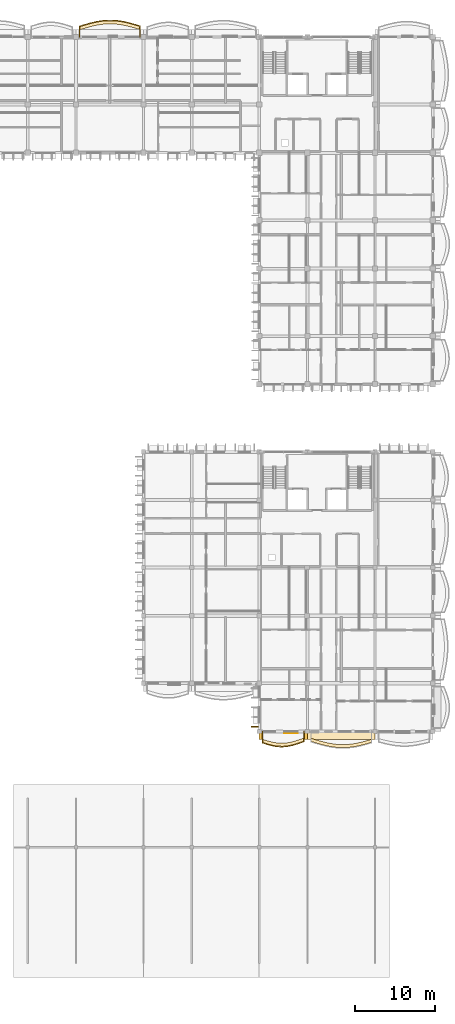
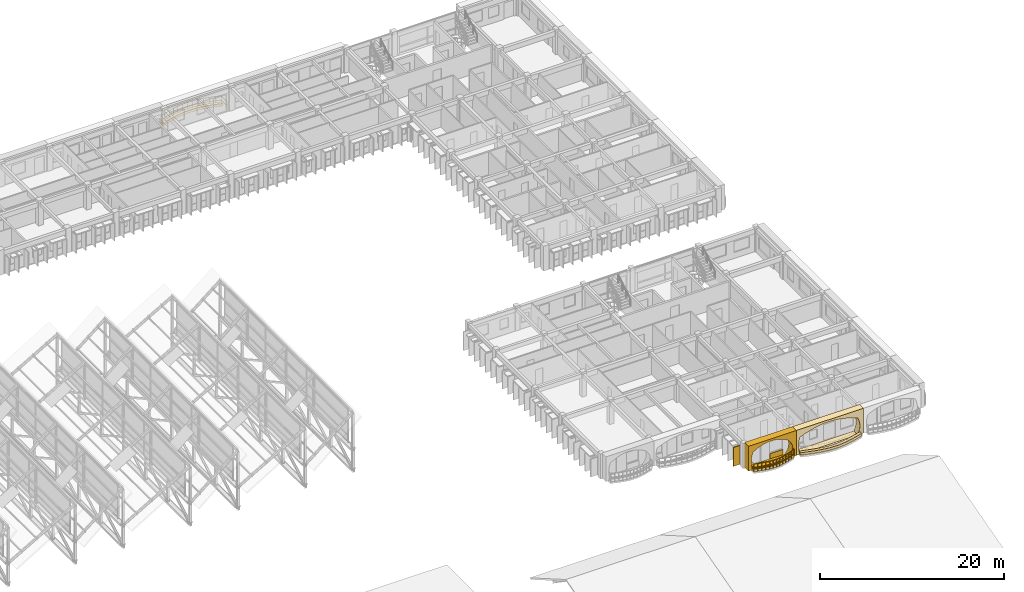
# One storey, part 89 of 101: 7 coverings, 2 railings.
"""IFC4 building model written with IfcOpenShell, lengths in metres."""

import ifcopenshell
import ifcopenshell.guid

model = None  # the IFC model being written
_history = None  # IfcOwnerHistory: only IFC2X3 demands one
_inside = {}  # id of a spatial element -> (the spatial element, [elements in it])
_under = {}  # id of a project, library or spatial element -> (it, [spatial elements below it])
_declared = {}  # id of a project -> (the project, [libraries it declares])
_typed = {}  # id of a type object -> (the type object, [elements of that type])
_made_of = {}  # id of a material, layer set ... -> (it, [elements and type objects made of it])


def new_model(schema):
    """Start an empty IFC model of exactly this schema.

    Asked for "IFC4X3", IfcOpenShell would pick the latest addendum, in which some entities
    have other attributes; the version numbers below select the first issue.
    IFC2X3 requires an IfcOwnerHistory on every rooted entity: one is made here for all.
    """
    global model, _history
    if schema == "IFC4X3":
        model = ifcopenshell.file(schema_version=(4, 3, 0, 0))
    else:
        model = ifcopenshell.file(schema=schema)
    _inside.clear()
    _under.clear()
    _declared.clear()
    _typed.clear()
    _made_of.clear()
    _history = None
    if model.schema == "IFC2X3":
        org = make("IfcOrganization", Name="unknown")
        user = make(
            "IfcPersonAndOrganization",
            ThePerson=make("IfcPerson", FamilyName="unknown"),
            TheOrganization=org,
        )
        app = make(
            "IfcApplication",
            ApplicationDeveloper=org,
            Version="unknown",
            ApplicationFullName="unknown",
            ApplicationIdentifier="unknown",
        )
        _history = make(
            "IfcOwnerHistory",
            OwningUser=user,
            OwningApplication=app,
            ChangeAction="ADDED",
            CreationDate=0,
        )
    return model


def make(cls, **values):
    """One entity of the class cls with the attributes given. An attribute that is None is left unset."""
    return model.create_entity(
        cls, **{name: value for name, value in values.items() if value is not None}
    )


def rooted(cls, **values):
    """An entity with a GlobalId (a new one), such as an element, a storey or a relation."""
    return make(cls, GlobalId=ifcopenshell.guid.new(), OwnerHistory=_history, **values)


def si_unit(unit_type, name, prefix=None):
    """IfcSIUnit, for example si_unit("LENGTHUNIT", "METRE", prefix="MILLI")."""
    return make("IfcSIUnit", UnitType=unit_type, Prefix=prefix, Name=name)


def assignment(units):
    """IfcUnitAssignment: the units of a project."""
    return None if units is None else make("IfcUnitAssignment", Units=units)


def point(xyz):
    """IfcCartesianPoint."""
    return None if xyz is None else make("IfcCartesianPoint", Coordinates=xyz)


def direction(xyz):
    """IfcDirection."""
    return None if xyz is None else make("IfcDirection", DirectionRatios=xyz)


def frame(location, z_axis=None, x_axis=None):
    """IfcAxis2Placement3D, a coordinate frame: its origin and axes. An axis left out is left unset."""
    return make(
        "IfcAxis2Placement3D",
        Location=point(location),
        Axis=direction(z_axis),
        RefDirection=direction(x_axis),
    )


def frame_2d(location, x_axis=None):
    """IfcAxis2Placement2D, a coordinate frame in the plane: its origin and x axis."""
    return make(
        "IfcAxis2Placement2D", Location=point(location), RefDirection=direction(x_axis)
    )


def origin():
    """The frame at (0, 0, 0) with its axes left unset."""
    return frame((0.0, 0.0, 0.0))


def origin_2d():
    """The frame at (0, 0) in the plane with its x axis left unset."""
    return frame_2d((0.0, 0.0))


def place(relative_to, where):
    """IfcLocalPlacement: puts the frame where relative to a parent placement (None: the world)."""
    return make(
        "IfcLocalPlacement", PlacementRelTo=relative_to, RelativePlacement=where
    )


def context(
    kind, dimensions, precision=None, world=None, true_north=None, identifier=None
):
    """IfcGeometricRepresentationContext, for example the 3D "Model" context."""
    return make(
        "IfcGeometricRepresentationContext",
        ContextIdentifier=identifier,
        ContextType=kind,
        CoordinateSpaceDimension=dimensions,
        Precision=precision,
        WorldCoordinateSystem=world,
        TrueNorth=true_north,
    )


def subcontext(parent, identifier, kind, view, scale=None):
    """IfcGeometricRepresentationSubContext, for example "Body" below "Model"."""
    return make(
        "IfcGeometricRepresentationSubContext",
        ContextIdentifier=identifier,
        ContextType=kind,
        ParentContext=parent,
        TargetScale=scale,
        TargetView=view,
    )


def project(units=None, contexts=None):
    """IfcProject with its units and contexts."""
    return rooted(
        "IfcProject",
        Name="project",
        RepresentationContexts=contexts,
        UnitsInContext=assignment(units),
    )


def spatial(cls, under=None, at=None, **own):
    """A site, building, storey or space (cls), placed at a placement, below another one or the project."""
    s = rooted(cls, ObjectPlacement=at, **own)
    if under is not None:
        _under.setdefault(under.id(), (under, []))[1].append(s)
    return s


def polyline(points):
    """IfcPolyline through the points."""
    return make("IfcPolyline", Points=[point(p) for p in points])


def profile(cls, at=None, kind="AREA", **sizes):
    """A parametric profile (cls). Its sizes go by their IFC names, for example OverallWidth=200.0."""
    return make(cls, ProfileType=kind, Position=at, **sizes)


def rectangle(**sizes):
    """IfcRectangleProfileDef."""
    return profile("IfcRectangleProfileDef", **sizes)


def outline(outer, holes=None, kind="AREA"):
    """IfcArbitraryClosedProfileDef: a profile drawn as a closed curve; with holes, ...WithVoids."""
    if holes is None:
        return make("IfcArbitraryClosedProfileDef", ProfileType=kind, OuterCurve=outer)
    return make(
        "IfcArbitraryProfileDefWithVoids",
        ProfileType=kind,
        OuterCurve=outer,
        InnerCurves=holes,
    )


def extrude(swept, where, along, depth):
    """IfcExtrudedAreaSolid: the profile swept, set in the frame where, extruded along a direction by depth."""
    return make(
        "IfcExtrudedAreaSolid",
        SweptArea=swept,
        Position=where,
        ExtrudedDirection=direction(along),
        Depth=depth,
    )


def shape(context_of_items, identifier, shape_type, items):
    """IfcShapeRepresentation: the items that make up one representation, for example the "Body"."""
    return make(
        "IfcShapeRepresentation",
        ContextOfItems=context_of_items,
        RepresentationIdentifier=identifier,
        RepresentationType=shape_type,
        Items=items,
    )


def material(Name=None, Category=None):
    """IfcMaterial."""
    return make("IfcMaterial", Name=Name, Category=Category)


def layer(
    of_material, thickness, ventilated=None, Name=None, Category=None, Priority=None
):
    """IfcMaterialLayer: one layer of a wall or slab, of a material (None: an air gap)."""
    return make(
        "IfcMaterialLayer",
        Material=of_material,
        LayerThickness=thickness,
        IsVentilated=ventilated,
        Name=Name,
        Category=Category,
        Priority=Priority,
    )


def layer_set(layers, Name=None):
    """IfcMaterialLayerSet."""
    return make("IfcMaterialLayerSet", MaterialLayers=layers, LayerSetName=Name)


def made_of(thing, what):
    """Note that an element or type object is made of a material, layer set ...; save() writes the relation."""
    if what is not None:
        _made_of.setdefault(what.id(), (what, []))[1].append(thing)
    return thing


def type_object(cls, material=None, **own):
    """A type object (cls), such as IfcWallType, which elements share."""
    return made_of(rooted(cls, **own), material)


def element(
    cls,
    number,
    at=None,
    inside=None,
    cuts=None,
    type_object=None,
    material=None,
    context=None,
    identifier="Body",
    shape_type=None,
    held_by="IfcProductDefinitionShape",
    body=None,
    shapes=None,
    **own,
):
    """One element of the class cls, such as IfcWall. Its Tag is "e" and its number.

    at: its placement. inside: the storey or other place that contains it. cuts: it is an
    opening in that element (IfcRelVoidsElement). A single representation is given by context,
    identifier, shape_type and body (its items); several are given by shapes. held_by: the class
    of the entity that holds the representations. save() writes the other relations.
    """
    e = rooted(cls, Tag="e%d" % number, ObjectPlacement=at, **own)
    if body is not None:
        shapes = [shape(context, identifier, shape_type, body)]
    if shapes is not None:
        e.Representation = make(held_by, Representations=shapes)
    if inside is not None:
        _inside.setdefault(inside.id(), (inside, []))[1].append(e)
    if cuts is not None:
        rooted(
            "IfcRelVoidsElement", RelatingBuildingElement=cuts, RelatedOpeningElement=e
        )
    if type_object is not None:
        _typed.setdefault(type_object.id(), (type_object, []))[1].append(e)
    return made_of(e, material)


def aggregate(whole, parts):
    """IfcRelAggregates: a whole, such as a stair, and the parts it consists of."""
    return rooted("IfcRelAggregates", RelatingObject=whole, RelatedObjects=parts)


def save(model, path):
    """Write the relations noted so far, then the file.

    IfcRelAggregates (storeys below a building ...), IfcRelContainedInSpatialStructure (elements
    in a storey), IfcRelDefinesByType, IfcRelAssociatesMaterial and IfcRelDeclares: one each for
    every whole, place, type object, material and project.
    """
    for whole, parts in _under.values():
        aggregate(whole, parts)
    for where, things in _inside.values():
        rooted(
            "IfcRelContainedInSpatialStructure",
            RelatedElements=things,
            RelatingStructure=where,
        )
    for kind, things in _typed.values():
        rooted("IfcRelDefinesByType", RelatedObjects=things, RelatingType=kind)
    for what, things in _made_of.values():
        rooted("IfcRelAssociatesMaterial", RelatedObjects=things, RelatingMaterial=what)
    for by, libraries in _declared.values():
        rooted("IfcRelDeclares", RelatingContext=by, RelatedDefinitions=libraries)
    model.write(path)


model = new_model("IFC4")

# Units and contexts
model_context = context("Model", 3, precision=1e-05, world=origin(), true_north=direction((0.0, 1.0)))
body_context = subcontext(model_context, "Body", "Model", "MODEL_VIEW")
ifc_project = project(units=[si_unit("LENGTHUNIT", "METRE"), si_unit("AREAUNIT", "SQUARE_METRE"), si_unit("VOLUMEUNIT", "CUBIC_METRE"), si_unit("PLANEANGLEUNIT", "RADIAN"), si_unit("MASSUNIT", "GRAM", prefix="KILO"), si_unit("THERMODYNAMICTEMPERATUREUNIT", "KELVIN")], contexts=[model_context])

# Site, building, storey
site_placement = place(None, origin())
site = spatial("IfcSite", under=ifc_project, at=site_placement, CompositionType="ELEMENT")
building_placement = place(site_placement, origin())
building = spatial("IfcBuilding", under=site, at=building_placement, Name="Thalorik Housing Commons", CompositionType="ELEMENT")
storey_placement = place(building_placement, frame((0.0, 0.0, 8.10009765625)))
storey = spatial("IfcBuildingStorey", under=building, at=storey_placement, Name="L02", CompositionType="ELEMENT", Elevation=8.10009765625)

# Coverings
ifc_material_1 = material(Name="Precast concrete C40/50", Category="concrete")
ifc_layer_1 = layer(ifc_material_1, 0.85009765625, Name="Precast concrete C40/50", Category="concrete")
ifc_layer_set_1 = layer_set([ifc_layer_1], Name="Precast concrete C40/50")
covering_type_1 = type_object("IfcCoveringType", Name="ARC-CLD-CUSH-850", PredefinedType="CLADDING", material=ifc_layer_set_1)
covering_1_placement = place(storey_placement, frame((155.39990234375, 36.62255859375, 0.0), z_axis=(0.0, 0.0, 1.0), x_axis=(1.0, 0.0, 0.0)))
element("IfcCovering", 1, at=covering_1_placement, inside=storey, type_object=covering_type_1, Name="L02 White Precast Curved Cushion Bay Frame 4666", PredefinedType="CLADDING", context=body_context, shape_type="SweptSolid", body=[
    extrude(outline(polyline([(-3.0, 0.0), (3.0, 0.0), (3.0, 3.300048828125), (-3.0, 3.300048828125), (-3.0, 0.0)]), holes=[polyline([(2.0400390625, 0.02490234375), (2.3232421875, 0.407470703125), (2.493408203125, 0.7900390625), (2.550048828125, 1.172607421875), (2.493408203125, 1.554931640625), (2.3232421875, 1.9375), (2.0400390625, 2.320068359375), (1.66748046875, 2.539306640625), (1.294921875, 2.711181640625), (0.922607421875, 2.8505859375), (0.550048828125, 2.954345703125), (0.177490234375, 3.018310546875), (-0.195068359375, 3.0400390625), (-0.5673828125, 3.018310546875), (-0.93994140625, 2.954345703125), (-1.3125, 2.8505859375), (-1.68505859375, 2.711181640625), (-2.0576171875, 2.539306640625), (-2.429931640625, 2.320068359375), (-2.55029296875, 1.9375), (-2.62255859375, 1.554931640625), (-2.646484375, 1.172607421875), (-2.62255859375, 0.7900390625), (-2.55029296875, 0.407470703125), (-2.429931640625, 0.02490234375), (2.0400390625, 0.02490234375)])]), frame((0.0, 0.425048828125, 0.0), z_axis=(0.0, -1.0, 0.0), x_axis=(1.0, 0.0, 0.0)), (0.0, 0.0, 1.0), 0.85009765625),
])
covering_2_placement = place(storey_placement, frame((162.60009765625, 36.62255859375, 0.0), z_axis=(0.0, 0.0, 1.0), x_axis=(1.0, 0.0, 0.0)))
element("IfcCovering", 2, at=covering_2_placement, inside=storey, type_object=covering_type_1, Name="L02 White Precast Curved Cushion Bay Frame 4668", PredefinedType="CLADDING", context=body_context, shape_type="SweptSolid", body=[
    extrude(outline(polyline([(-4.199951171875, 0.0), (4.199951171875, 0.0), (4.199951171875, 3.300048828125), (-4.199951171875, 3.300048828125), (-4.199951171875, 0.0)]), holes=[polyline([(3.4951171875, 0.02490234375), (3.643798828125, 0.394287109375), (3.733154296875, 0.76318359375), (3.762939453125, 1.132568359375), (3.733154296875, 1.501708984375), (3.643798828125, 1.870849609375), (3.4951171875, 2.239990234375), (2.889892578125, 2.4833984375), (2.284912109375, 2.6748046875), (1.679931640625, 2.82958984375), (1.074951171875, 2.94482421875), (0.469970703125, 3.01611328125), (-0.135009765625, 3.0400390625), (-0.739990234375, 3.01611328125), (-1.344970703125, 2.94482421875), (-1.949951171875, 2.82958984375), (-2.554931640625, 2.6748046875), (-3.159912109375, 2.4833984375), (-3.764892578125, 2.239990234375), (-3.856689453125, 1.870849609375), (-3.911865234375, 1.501708984375), (-3.930419921875, 1.132568359375), (-3.911865234375, 0.76318359375), (-3.856689453125, 0.394287109375), (-3.764892578125, 0.02490234375), (3.4951171875, 0.02490234375)])]), frame((0.0, 0.425048828125, 0.0), z_axis=(0.0, -1.0, 0.0), x_axis=(1.0, 0.0, 0.0)), (0.0, 0.0, 1.0), 0.85009765625),
])
ifc_layer_2 = layer(ifc_material_1, 0.85009765625, Name="Precast concrete C40/50", Category="concrete")
ifc_layer_set_2 = layer_set([ifc_layer_2], Name="Precast concrete C40/50")
covering_type_2 = type_object("IfcCoveringType", Name="ARC-CLD-FIN-850", PredefinedType="CLADDING", material=ifc_layer_set_2)
covering_3_placement = place(storey_placement, frame((151.822509765625, 37.800048828125, 0.039794921875), z_axis=(0.0, 0.0, 1.0), x_axis=(0.0, -1.0, 0.0)))
element("IfcCovering", 3, at=covering_3_placement, inside=storey, type_object=covering_type_2, Name="L02 Courtyard Precast Vertical Brise-Soleil Fin 4663", PredefinedType="CLADDING", context=body_context, shape_type="SweptSolid", body=[
    extrude(rectangle(XDim=0.110107421875, YDim=0.85009765625, at=origin_2d()), origin(), (0.0, 0.0, 1.0), 2.4951171875),
])
ifc_material_2 = material(Name="Mineral ochre architectural terracotta panel", Category="masonry")
ifc_layer_3 = layer(ifc_material_2, 0.06494140625, Name="Mineral ochre architectural terracotta panel", Category="masonry")
ifc_layer_set_3 = layer_set([ifc_layer_3], Name="Mineral ochre architectural terracotta panel")
covering_type_3 = type_object("IfcCoveringType", Name="ARC-CLD-YEL-65", PredefinedType="CLADDING", material=ifc_layer_set_3)
covering_4_placement = place(storey_placement, frame((156.340087890625, 37.010009765625, 0.0498046875), z_axis=(0.0, 0.0, 1.0), x_axis=(1.0, 0.0, 0.0)))
element("IfcCovering", 4, at=covering_4_placement, inside=storey, type_object=covering_type_3, Name="L02 De Stijl Recessed Window Spandrel 4667", PredefinedType="CLADDING", context=body_context, shape_type="SweptSolid", body=[
    extrude(rectangle(XDim=1.64990234375, YDim=0.06494140625, at=origin_2d()), origin(), (0.0, 0.0, 1.0), 0.699951171875),
])
ifc_material_3 = material(Name="Planted vegetated substrate and terracotta trough", Category="masonry")
ifc_layer_4 = layer(ifc_material_3, 0.340087890625, Name="Planted vegetated substrate and terracotta trough", Category="masonry")
ifc_layer_set_4 = layer_set([ifc_layer_4], Name="Planted vegetated substrate and terracotta trough")
covering_type_4 = type_object("IfcCoveringType", Name="ARC-COV-PLANTER", PredefinedType="USERDEFINED", material=ifc_layer_set_4)
covering_5_placement = place(storey_placement, origin())
element("IfcCovering", 5, at=covering_5_placement, inside=storey, type_object=covering_type_4, Name="L02 Balcony Slab-Edge Planted Trough 5424", ObjectType="PLANTER", PredefinedType="USERDEFINED", context=body_context, shape_type="SweptSolid", body=[
    extrude(outline(polyline([(137.580078125, 124.9052734375), (136.949951171875, 125.095703125), (136.320068359375, 125.2724609375), (135.68994140625, 125.423095703125), (135.06005859375, 125.53759765625), (134.429931640625, 125.60791015625), (133.800048828125, 125.62890625), (133.169921875, 125.599609375), (132.5400390625, 125.521484375), (131.909912109375, 125.400390625), (131.280029296875, 125.24462890625), (130.64990234375, 125.065185546875), (130.02001953125, 124.874267578125), (130.02001953125, 124.494384765625), (130.64990234375, 124.685302734375), (131.280029296875, 124.86474609375), (131.909912109375, 125.0205078125), (132.5400390625, 125.1416015625), (133.169921875, 125.219482421875), (133.800048828125, 125.2490234375), (134.429931640625, 125.227783203125), (135.06005859375, 125.15771484375), (135.68994140625, 125.043212890625), (136.320068359375, 124.892333984375), (136.949951171875, 124.715576171875), (137.580078125, 124.525146484375), (137.580078125, 124.9052734375)])), origin(), (0.0, 0.0, 1.0), 0.33984375),
])
covering_6_placement = place(storey_placement, origin())
element("IfcCovering", 6, at=covering_6_placement, inside=storey, type_object=covering_type_4, Name="L02 Balcony Slab-Edge Planted Trough 5650", ObjectType="PLANTER", PredefinedType="USERDEFINED", context=body_context, shape_type="SweptSolid", body=[
    extrude(outline(polyline([(152.820068359375, 35.846923828125), (153.25, 35.709228515625), (153.679931640625, 35.58349609375), (154.110107421875, 35.47900390625), (154.5400390625, 35.40380859375), (154.969970703125, 35.36328125), (155.39990234375, 35.361328125), (155.830078125, 35.398681640625), (156.260009765625, 35.472900390625), (156.68994140625, 35.579833984375), (157.1201171875, 35.71240234375), (157.550048828125, 35.861572265625), (157.97998046875, 36.017333984375), (157.97998046875, 36.3974609375), (157.550048828125, 36.24169921875), (157.1201171875, 36.09228515625), (156.68994140625, 35.9599609375), (156.260009765625, 35.85302734375), (155.830078125, 35.778564453125), (155.39990234375, 35.741455078125), (154.969970703125, 35.743408203125), (154.5400390625, 35.78369140625), (154.110107421875, 35.859130859375), (153.679931640625, 35.963623046875), (153.25, 36.08935546875), (152.820068359375, 36.22705078125), (152.820068359375, 35.846923828125)])), origin(), (0.0, 0.0, 1.0), 0.33984375),
])
covering_7_placement = place(storey_placement, origin())
element("IfcCovering", 7, at=covering_7_placement, inside=storey, type_object=covering_type_4, Name="L02 Balcony Slab-Edge Planted Trough 5651", ObjectType="PLANTER", PredefinedType="USERDEFINED", context=body_context, shape_type="SweptSolid", body=[
    extrude(outline(polyline([(158.820068359375, 35.968505859375), (159.449951171875, 35.781005859375), (160.080078125, 35.601318359375), (160.7099609375, 35.44189453125), (161.340087890625, 35.314208984375), (161.969970703125, 35.226806640625), (162.60009765625, 35.185791015625), (163.22998046875, 35.194580078125), (163.860107421875, 35.251953125), (164.489990234375, 35.3544921875), (165.1201171875, 35.4951171875), (165.75, 35.6640625), (166.3798828125, 35.849853515625), (166.3798828125, 36.229736328125), (165.75, 36.044189453125), (165.1201171875, 35.875244140625), (164.489990234375, 35.734619140625), (163.860107421875, 35.632080078125), (163.22998046875, 35.574462890625), (162.60009765625, 35.56591796875), (161.969970703125, 35.606689453125), (161.340087890625, 35.694091796875), (160.7099609375, 35.822021484375), (160.080078125, 35.981201171875), (159.449951171875, 36.160888671875), (158.820068359375, 36.348388671875), (158.820068359375, 35.968505859375)])), origin(), (0.0, 0.0, 1.0), 0.33984375),
])

# Railings
ifc_material_4 = material(Name="Steel S355", Category="steel")
railing_type = type_object("IfcRailingType", Name="ARC-RL-BAL-112", PredefinedType="BALUSTRADE", material=ifc_material_4)
railing_1_placement = place(storey_placement, frame((137.580078125, 123.60009765625, 0.0)))
element("IfcRailing", 8, at=railing_1_placement, inside=storey, type_object=railing_type, Name="L02 Cushion Balcony Guardrail 108", PredefinedType="BALUSTRADE", context=body_context, shape_type="SweptSolid", body=[
    extrude(rectangle(XDim=0.050048828125, YDim=0.050048828125, at=origin_2d()), frame((0.0, 0.0, 1.09521484375), z_axis=(0.0, 1.0, 0.0), x_axis=(-1.0, 0.0, 0.0)), (0.0, 0.0, 1.0), 1.375),
    extrude(rectangle(XDim=0.050048828125, YDim=0.050048828125, at=origin_2d()), frame((0.0, 0.0, 0.53515625), z_axis=(0.0, 1.0, 0.0), x_axis=(-1.0, 0.0, 0.0)), (0.0, 0.0, 1.0), 1.375),
    extrude(rectangle(XDim=0.050048828125, YDim=0.050048828125, at=origin_2d()), frame((0.0, 1.375, 1.09521484375), z_axis=(-0.957242481646, 0.289286763148, 0.0), x_axis=(-0.289286763148, -0.957242481646, 0.0)), (0.0, 0.0, 1.0), 0.658203125),
    extrude(rectangle(XDim=0.050048828125, YDim=0.050048828125, at=origin_2d()), frame((0.0, 1.375, 0.53515625), z_axis=(-0.957242481646, 0.289286763148, 0.0), x_axis=(-0.289286763148, -0.957242481646, 0.0)), (0.0, 0.0, 1.0), 0.658203125),
    extrude(rectangle(XDim=0.050048828125, YDim=0.050048828125, at=origin_2d()), frame((-0.630126953125, 1.5654296875, 1.09521484375), z_axis=(-0.962808829557, 0.270183563023, 0.0), x_axis=(-0.270183563023, -0.962808829557, 0.0)), (0.0, 0.0, 1.0), 0.654296875),
    extrude(rectangle(XDim=0.050048828125, YDim=0.050048828125, at=origin_2d()), frame((-0.630126953125, 1.5654296875, 0.53515625), z_axis=(-0.962808829557, 0.270183563023, 0.0), x_axis=(-0.270183563023, -0.962808829557, 0.0)), (0.0, 0.0, 1.0), 0.654296875),
    extrude(rectangle(XDim=0.050048828125, YDim=0.050048828125, at=origin_2d()), frame((-1.260009765625, 1.7421875, 1.09521484375), z_axis=(-0.972510295114, 0.232859884688, 0.0), x_axis=(-0.232859884688, -0.972510295114, 0.0)), (0.0, 0.0, 1.0), 0.64794921875),
    extrude(rectangle(XDim=0.050048828125, YDim=0.050048828125, at=origin_2d()), frame((-1.260009765625, 1.7421875, 0.53515625), z_axis=(-0.972510295114, 0.232859884688, 0.0), x_axis=(-0.232859884688, -0.972510295114, 0.0)), (0.0, 0.0, 1.0), 0.64794921875),
    extrude(rectangle(XDim=0.050048828125, YDim=0.050048828125, at=origin_2d()), frame((-1.89013671875, 1.89306640625, 1.09521484375), z_axis=(-0.983876011084, 0.178851879534, 0.0), x_axis=(-0.178851879534, -0.983876011084, 0.0)), (0.0, 0.0, 1.0), 0.64013671875),
    extrude(rectangle(XDim=0.050048828125, YDim=0.050048828125, at=origin_2d()), frame((-1.89013671875, 1.89306640625, 0.53515625), z_axis=(-0.983876011084, 0.178851879534, 0.0), x_axis=(-0.178851879534, -0.983876011084, 0.0)), (0.0, 0.0, 1.0), 0.64013671875),
    extrude(rectangle(XDim=0.050048828125, YDim=0.050048828125, at=origin_2d()), frame((-2.52001953125, 2.007568359375, 1.09521484375), z_axis=(-0.993831971969, 0.110896399817, 0.0), x_axis=(-0.110896399817, -0.993831971969, 0.0)), (0.0, 0.0, 1.0), 0.634033203125),
    extrude(rectangle(XDim=0.050048828125, YDim=0.050048828125, at=origin_2d()), frame((-2.52001953125, 2.007568359375, 0.53515625), z_axis=(-0.993831971969, 0.110896399817, 0.0), x_axis=(-0.110896399817, -0.993831971969, 0.0)), (0.0, 0.0, 1.0), 0.634033203125),
    extrude(rectangle(XDim=0.050048828125, YDim=0.050048828125, at=origin_2d()), frame((-3.150146484375, 2.077880859375, 1.09521484375), z_axis=(-0.999444906979, 0.033314830233, 0.0), x_axis=(-0.033314830233, -0.999444906979, 0.0)), (0.0, 0.0, 1.0), 0.630126953125),
    extrude(rectangle(XDim=0.050048828125, YDim=0.050048828125, at=origin_2d()), frame((-3.150146484375, 2.077880859375, 0.53515625), z_axis=(-0.999444906979, 0.033314830233, 0.0), x_axis=(-0.033314830233, -0.999444906979, 0.0)), (0.0, 0.0, 1.0), 0.630126953125),
    extrude(rectangle(XDim=0.050048828125, YDim=0.050048828125, at=origin_2d()), frame((-3.780029296875, 2.098876953125, 1.09521484375), z_axis=(-0.99890289151, -0.046829620253, 0.0), x_axis=(0.046829620253, -0.99890289151, 0.0)), (0.0, 0.0, 1.0), 0.630859375),
    extrude(rectangle(XDim=0.050048828125, YDim=0.050048828125, at=origin_2d()), frame((-3.780029296875, 2.098876953125, 0.53515625), z_axis=(-0.99890289151, -0.046829620253, 0.0), x_axis=(0.046829620253, -0.99890289151, 0.0)), (0.0, 0.0, 1.0), 0.630859375),
    extrude(rectangle(XDim=0.050048828125, YDim=0.050048828125, at=origin_2d()), frame((-4.41015625, 2.0693359375, 1.09521484375), z_axis=(-0.99244269425, -0.122708999793, 0.0), x_axis=(0.122708999793, -0.99244269425, 0.0)), (0.0, 0.0, 1.0), 0.634765625),
    extrude(rectangle(XDim=0.050048828125, YDim=0.050048828125, at=origin_2d()), frame((-4.41015625, 2.0693359375, 0.53515625), z_axis=(-0.99244269425, -0.122708999793, 0.0), x_axis=(0.122708999793, -0.99244269425, 0.0)), (0.0, 0.0, 1.0), 0.634765625),
    extrude(rectangle(XDim=0.050048828125, YDim=0.050048828125, at=origin_2d()), frame((-5.0400390625, 1.991455078125, 1.09521484375), z_axis=(-0.982030863602, -0.188720382932, 0.0), x_axis=(0.188720382932, -0.982030863602, 0.0)), (0.0, 0.0, 1.0), 0.6416015625),
    extrude(rectangle(XDim=0.050048828125, YDim=0.050048828125, at=origin_2d()), frame((-5.0400390625, 1.991455078125, 0.53515625), z_axis=(-0.982030863602, -0.188720382932, 0.0), x_axis=(0.188720382932, -0.982030863602, 0.0)), (0.0, 0.0, 1.0), 0.6416015625),
    extrude(rectangle(XDim=0.050048828125, YDim=0.050048828125, at=origin_2d()), frame((-5.670166015625, 1.870361328125, 1.09521484375), z_axis=(-0.970759060708, -0.240055922764, 0.0), x_axis=(0.240055922764, -0.970759060708, 0.0)), (0.0, 0.0, 1.0), 0.64892578125),
    extrude(rectangle(XDim=0.050048828125, YDim=0.050048828125, at=origin_2d()), frame((-5.670166015625, 1.870361328125, 0.53515625), z_axis=(-0.970759060708, -0.240055922764, 0.0), x_axis=(0.240055922764, -0.970759060708, 0.0)), (0.0, 0.0, 1.0), 0.64892578125),
    extrude(rectangle(XDim=0.050048828125, YDim=0.050048828125, at=origin_2d()), frame((-6.300048828125, 1.714599609375, 1.09521484375), z_axis=(-0.961762630436, -0.273884360081, 0.0), x_axis=(0.273884360081, -0.961762630436, 0.0)), (0.0, 0.0, 1.0), 0.6552734375),
    extrude(rectangle(XDim=0.050048828125, YDim=0.050048828125, at=origin_2d()), frame((-6.300048828125, 1.714599609375, 0.53515625), z_axis=(-0.961762630436, -0.273884360081, 0.0), x_axis=(0.273884360081, -0.961762630436, 0.0)), (0.0, 0.0, 1.0), 0.6552734375),
    extrude(rectangle(XDim=0.050048828125, YDim=0.050048828125, at=origin_2d()), frame((-6.93017578125, 1.53515625, 1.09521484375), z_axis=(-0.957005684235, -0.290069164756, 0.0), x_axis=(0.290069164756, -0.957005684235, 0.0)), (0.0, 0.0, 1.0), 0.658203125),
    extrude(rectangle(XDim=0.050048828125, YDim=0.050048828125, at=origin_2d()), frame((-6.93017578125, 1.53515625, 0.53515625), z_axis=(-0.957005684235, -0.290069164756, 0.0), x_axis=(0.290069164756, -0.957005684235, 0.0)), (0.0, 0.0, 1.0), 0.658203125),
    extrude(rectangle(XDim=0.050048828125, YDim=0.050048828125, at=origin_2d()), frame((-7.56005859375, 1.34423828125, 1.09521484375), z_axis=(0.0, -1.0, 0.0), x_axis=(1.0, 0.0, 0.0)), (0.0, 0.0, 1.0), 1.34423828125),
    extrude(rectangle(XDim=0.050048828125, YDim=0.050048828125, at=origin_2d()), frame((-7.56005859375, 1.34423828125, 0.53515625), z_axis=(0.0, -1.0, 0.0), x_axis=(1.0, 0.0, 0.0)), (0.0, 0.0, 1.0), 1.34423828125),
    extrude(rectangle(XDim=0.0419921875, YDim=0.0419921875, at=origin_2d()), origin(), (0.0, 0.0, 1.0), 1.070068359375),
    extrude(rectangle(XDim=0.0419921875, YDim=0.0419921875, at=origin_2d()), frame((0.0, 1.375, 0.0)), (0.0, 0.0, 1.0), 1.070068359375),
    extrude(rectangle(XDim=0.0419921875, YDim=0.0419921875, at=origin_2d()), frame((-0.630126953125, 1.5654296875, 0.0)), (0.0, 0.0, 1.0), 1.070068359375),
    extrude(rectangle(XDim=0.0419921875, YDim=0.0419921875, at=origin_2d()), frame((-1.260009765625, 1.7421875, 0.0)), (0.0, 0.0, 1.0), 1.070068359375),
    extrude(rectangle(XDim=0.0419921875, YDim=0.0419921875, at=origin_2d()), frame((-1.89013671875, 1.89306640625, 0.0)), (0.0, 0.0, 1.0), 1.070068359375),
    extrude(rectangle(XDim=0.0419921875, YDim=0.0419921875, at=origin_2d()), frame((-2.52001953125, 2.007568359375, 0.0)), (0.0, 0.0, 1.0), 1.070068359375),
    extrude(rectangle(XDim=0.0419921875, YDim=0.0419921875, at=origin_2d()), frame((-3.150146484375, 2.077880859375, 0.0)), (0.0, 0.0, 1.0), 1.070068359375),
    extrude(rectangle(XDim=0.0419921875, YDim=0.0419921875, at=origin_2d()), frame((-3.780029296875, 2.098876953125, 0.0)), (0.0, 0.0, 1.0), 1.070068359375),
    extrude(rectangle(XDim=0.0419921875, YDim=0.0419921875, at=origin_2d()), frame((-4.41015625, 2.0693359375, 0.0)), (0.0, 0.0, 1.0), 1.070068359375),
    extrude(rectangle(XDim=0.0419921875, YDim=0.0419921875, at=origin_2d()), frame((-5.0400390625, 1.991455078125, 0.0)), (0.0, 0.0, 1.0), 1.070068359375),
    extrude(rectangle(XDim=0.0419921875, YDim=0.0419921875, at=origin_2d()), frame((-5.670166015625, 1.870361328125, 0.0)), (0.0, 0.0, 1.0), 1.070068359375),
    extrude(rectangle(XDim=0.0419921875, YDim=0.0419921875, at=origin_2d()), frame((-6.300048828125, 1.714599609375, 0.0)), (0.0, 0.0, 1.0), 1.070068359375),
    extrude(rectangle(XDim=0.0419921875, YDim=0.0419921875, at=origin_2d()), frame((-6.93017578125, 1.53515625, 0.0)), (0.0, 0.0, 1.0), 1.070068359375),
    extrude(rectangle(XDim=0.0419921875, YDim=0.0419921875, at=origin_2d()), frame((-7.56005859375, 1.34423828125, 0.0)), (0.0, 0.0, 1.0), 1.070068359375),
    extrude(rectangle(XDim=0.0419921875, YDim=0.0419921875, at=origin_2d()), frame((-7.56005859375, 0.0, 0.0)), (0.0, 0.0, 1.0), 1.070068359375),
])
railing_2_placement = place(storey_placement, frame((152.820068359375, 37.199951171875, 0.0)))
element("IfcRailing", 9, at=railing_2_placement, inside=storey, type_object=railing_type, Name="L02 Cushion Balcony Guardrail 334", PredefinedType="BALUSTRADE", context=body_context, shape_type="SweptSolid", body=[
    extrude(rectangle(XDim=0.050048828125, YDim=0.050048828125, at=origin_2d()), frame((0.0, 0.0, 1.09521484375), z_axis=(0.0, -1.0, 0.0), x_axis=(1.0, 0.0, 0.0)), (0.0, 0.0, 1.0), 1.4228515625),
    extrude(rectangle(XDim=0.050048828125, YDim=0.050048828125, at=origin_2d()), frame((0.0, 0.0, 0.53515625), z_axis=(0.0, -1.0, 0.0), x_axis=(1.0, 0.0, 0.0)), (0.0, 0.0, 1.0), 1.4228515625),
    extrude(rectangle(XDim=0.050048828125, YDim=0.050048828125, at=origin_2d()), frame((0.0, -1.4228515625, 1.09521484375), z_axis=(0.95234876715, -0.305011189479, 0.0), x_axis=(0.305011189479, 0.95234876715, 0.0)), (0.0, 0.0, 1.0), 0.451416015625),
    extrude(rectangle(XDim=0.050048828125, YDim=0.050048828125, at=origin_2d()), frame((0.0, -1.4228515625, 0.53515625), z_axis=(0.95234876715, -0.305011189479, 0.0), x_axis=(0.305011189479, 0.95234876715, 0.0)), (0.0, 0.0, 1.0), 0.451416015625),
    extrude(rectangle(XDim=0.050048828125, YDim=0.050048828125, at=origin_2d()), frame((0.429931640625, -1.560546875, 1.09521484375), z_axis=(0.959798308367, -0.280690589897, 0.0), x_axis=(0.280690589897, 0.959798308367, 0.0)), (0.0, 0.0, 1.0), 0.447998046875),
    extrude(rectangle(XDim=0.050048828125, YDim=0.050048828125, at=origin_2d()), frame((0.429931640625, -1.560546875, 0.53515625), z_axis=(0.959798308367, -0.280690589897, 0.0), x_axis=(0.280690589897, 0.959798308367, 0.0)), (0.0, 0.0, 1.0), 0.447998046875),
    extrude(rectangle(XDim=0.050048828125, YDim=0.050048828125, at=origin_2d()), frame((0.85986328125, -1.686279296875, 1.09521484375), z_axis=(0.971742862103, -0.236041966504, 0.0), x_axis=(0.236041966504, 0.971742862103, 0.0)), (0.0, 0.0, 1.0), 0.442626953125),
    extrude(rectangle(XDim=0.050048828125, YDim=0.050048828125, at=origin_2d()), frame((0.85986328125, -1.686279296875, 0.53515625), z_axis=(0.971742862103, -0.236041966504, 0.0), x_axis=(0.236041966504, 0.971742862103, 0.0)), (0.0, 0.0, 1.0), 0.442626953125),
    extrude(rectangle(XDim=0.050048828125, YDim=0.050048828125, at=origin_2d()), frame((1.2900390625, -1.790771484375, 1.09521484375), z_axis=(0.984952013954, -0.17282803652, 0.0), x_axis=(0.17282803652, 0.984952013954, 0.0)), (0.0, 0.0, 1.0), 0.4365234375),
    extrude(rectangle(XDim=0.050048828125, YDim=0.050048828125, at=origin_2d()), frame((1.2900390625, -1.790771484375, 0.53515625), z_axis=(0.984952013954, -0.17282803652, 0.0), x_axis=(0.17282803652, 0.984952013954, 0.0)), (0.0, 0.0, 1.0), 0.4365234375),
    extrude(rectangle(XDim=0.050048828125, YDim=0.050048828125, at=origin_2d()), frame((1.719970703125, -1.8662109375, 1.09521484375), z_axis=(0.995639150564, -0.093288165726, 0.0), x_axis=(0.093288165726, 0.995639150564, 0.0)), (0.0, 0.0, 1.0), 0.431884765625),
    extrude(rectangle(XDim=0.050048828125, YDim=0.050048828125, at=origin_2d()), frame((1.719970703125, -1.8662109375, 0.53515625), z_axis=(0.995639150564, -0.093288165726, 0.0), x_axis=(0.093288165726, 0.995639150564, 0.0)), (0.0, 0.0, 1.0), 0.431884765625),
    extrude(rectangle(XDim=0.050048828125, YDim=0.050048828125, at=origin_2d()), frame((2.14990234375, -1.906494140625, 1.09521484375), z_axis=(0.99998968131, -0.004542826491, 0.0), x_axis=(0.004542826491, 0.99998968131, 0.0)), (0.0, 0.0, 1.0), 0.429931640625),
    extrude(rectangle(XDim=0.050048828125, YDim=0.050048828125, at=origin_2d()), frame((2.14990234375, -1.906494140625, 0.53515625), z_axis=(0.99998968131, -0.004542826491, 0.0), x_axis=(0.004542826491, 0.99998968131, 0.0)), (0.0, 0.0, 1.0), 0.429931640625),
    extrude(rectangle(XDim=0.050048828125, YDim=0.050048828125, at=origin_2d()), frame((2.579833984375, -1.908447265625, 1.09521484375), z_axis=(0.99629976194, 0.085946403981, 0.0), x_axis=(-0.085946403981, 0.99629976194, 0.0)), (0.0, 0.0, 1.0), 0.431884765625),
    extrude(rectangle(XDim=0.050048828125, YDim=0.050048828125, at=origin_2d()), frame((2.579833984375, -1.908447265625, 0.53515625), z_axis=(0.99629976194, 0.085946403981, 0.0), x_axis=(-0.085946403981, 0.99629976194, 0.0)), (0.0, 0.0, 1.0), 0.431884765625),
    extrude(rectangle(XDim=0.050048828125, YDim=0.050048828125, at=origin_2d()), frame((3.010009765625, -1.871337890625, 1.09521484375), z_axis=(0.985330609253, 0.170656351972, 0.0), x_axis=(-0.170656351972, 0.985330609253, 0.0)), (0.0, 0.0, 1.0), 0.436279296875),
    extrude(rectangle(XDim=0.050048828125, YDim=0.050048828125, at=origin_2d()), frame((3.010009765625, -1.871337890625, 0.53515625), z_axis=(0.985330609253, 0.170656351972, 0.0), x_axis=(-0.170656351972, 0.985330609253, 0.0)), (0.0, 0.0, 1.0), 0.436279296875),
    extrude(rectangle(XDim=0.050048828125, YDim=0.050048828125, at=origin_2d()), frame((3.43994140625, -1.796875, 1.09521484375), z_axis=(0.970433541001, 0.241368478682, 0.0), x_axis=(-0.241368478682, 0.970433541001, 0.0)), (0.0, 0.0, 1.0), 0.443115234375),
    extrude(rectangle(XDim=0.050048828125, YDim=0.050048828125, at=origin_2d()), frame((3.43994140625, -1.796875, 0.53515625), z_axis=(0.970433541001, 0.241368478682, 0.0), x_axis=(-0.241368478682, 0.970433541001, 0.0)), (0.0, 0.0, 1.0), 0.443115234375),
    extrude(rectangle(XDim=0.050048828125, YDim=0.050048828125, at=origin_2d()), frame((3.869873046875, -1.68994140625, 1.09521484375), z_axis=(0.955802463115, 0.294009611242, 0.0), x_axis=(-0.294009611242, 0.955802463115, 0.0)), (0.0, 0.0, 1.0), 0.449951171875),
    extrude(rectangle(XDim=0.050048828125, YDim=0.050048828125, at=origin_2d()), frame((3.869873046875, -1.68994140625, 0.53515625), z_axis=(0.955802463115, 0.294009611242, 0.0), x_axis=(-0.294009611242, 0.955802463115, 0.0)), (0.0, 0.0, 1.0), 0.449951171875),
    extrude(rectangle(XDim=0.050048828125, YDim=0.050048828125, at=origin_2d()), frame((4.300048828125, -1.5576171875, 1.09521484375), z_axis=(0.944749830866, 0.327792246825, 0.0), x_axis=(-0.327792246825, 0.944749830866, 0.0)), (0.0, 0.0, 1.0), 0.455078125),
    extrude(rectangle(XDim=0.050048828125, YDim=0.050048828125, at=origin_2d()), frame((4.300048828125, -1.5576171875, 0.53515625), z_axis=(0.944749830866, 0.327792246825, 0.0), x_axis=(-0.327792246825, 0.944749830866, 0.0)), (0.0, 0.0, 1.0), 0.455078125),
    extrude(rectangle(XDim=0.050048828125, YDim=0.050048828125, at=origin_2d()), frame((4.72998046875, -1.408447265625, 1.09521484375), z_axis=(0.940026985899, 0.341100081766, 0.0), x_axis=(-0.341100081766, 0.940026985899, 0.0)), (0.0, 0.0, 1.0), 0.457275390625),
    extrude(rectangle(XDim=0.050048828125, YDim=0.050048828125, at=origin_2d()), frame((4.72998046875, -1.408447265625, 0.53515625), z_axis=(0.940026985899, 0.341100081766, 0.0), x_axis=(-0.341100081766, 0.940026985899, 0.0)), (0.0, 0.0, 1.0), 0.457275390625),
    extrude(rectangle(XDim=0.050048828125, YDim=0.050048828125, at=origin_2d()), frame((5.159912109375, -1.25244140625, 1.09521484375), z_axis=(0.0, 1.0, 0.0), x_axis=(-1.0, 0.0, 0.0)), (0.0, 0.0, 1.0), 1.25244140625),
    extrude(rectangle(XDim=0.050048828125, YDim=0.050048828125, at=origin_2d()), frame((5.159912109375, -1.25244140625, 0.53515625), z_axis=(0.0, 1.0, 0.0), x_axis=(-1.0, 0.0, 0.0)), (0.0, 0.0, 1.0), 1.25244140625),
    extrude(rectangle(XDim=0.0419921875, YDim=0.0419921875, at=origin_2d()), origin(), (0.0, 0.0, 1.0), 1.070068359375),
    extrude(rectangle(XDim=0.0419921875, YDim=0.0419921875, at=origin_2d()), frame((0.0, -1.4228515625, 0.0)), (0.0, 0.0, 1.0), 1.070068359375),
    extrude(rectangle(XDim=0.0419921875, YDim=0.0419921875, at=origin_2d()), frame((0.429931640625, -1.560546875, 0.0)), (0.0, 0.0, 1.0), 1.070068359375),
    extrude(rectangle(XDim=0.0419921875, YDim=0.0419921875, at=origin_2d()), frame((0.85986328125, -1.686279296875, 0.0)), (0.0, 0.0, 1.0), 1.070068359375),
    extrude(rectangle(XDim=0.0419921875, YDim=0.0419921875, at=origin_2d()), frame((1.2900390625, -1.790771484375, 0.0)), (0.0, 0.0, 1.0), 1.070068359375),
    extrude(rectangle(XDim=0.0419921875, YDim=0.0419921875, at=origin_2d()), frame((1.719970703125, -1.8662109375, 0.0)), (0.0, 0.0, 1.0), 1.070068359375),
    extrude(rectangle(XDim=0.0419921875, YDim=0.0419921875, at=origin_2d()), frame((2.14990234375, -1.906494140625, 0.0)), (0.0, 0.0, 1.0), 1.070068359375),
    extrude(rectangle(XDim=0.0419921875, YDim=0.0419921875, at=origin_2d()), frame((2.579833984375, -1.908447265625, 0.0)), (0.0, 0.0, 1.0), 1.070068359375),
    extrude(rectangle(XDim=0.0419921875, YDim=0.0419921875, at=origin_2d()), frame((3.010009765625, -1.871337890625, 0.0)), (0.0, 0.0, 1.0), 1.070068359375),
    extrude(rectangle(XDim=0.0419921875, YDim=0.0419921875, at=origin_2d()), frame((3.43994140625, -1.796875, 0.0)), (0.0, 0.0, 1.0), 1.070068359375),
    extrude(rectangle(XDim=0.0419921875, YDim=0.0419921875, at=origin_2d()), frame((3.869873046875, -1.68994140625, 0.0)), (0.0, 0.0, 1.0), 1.070068359375),
    extrude(rectangle(XDim=0.0419921875, YDim=0.0419921875, at=origin_2d()), frame((4.300048828125, -1.5576171875, 0.0)), (0.0, 0.0, 1.0), 1.070068359375),
    extrude(rectangle(XDim=0.0419921875, YDim=0.0419921875, at=origin_2d()), frame((4.72998046875, -1.408447265625, 0.0)), (0.0, 0.0, 1.0), 1.070068359375),
    extrude(rectangle(XDim=0.0419921875, YDim=0.0419921875, at=origin_2d()), frame((5.159912109375, -1.25244140625, 0.0)), (0.0, 0.0, 1.0), 1.070068359375),
    extrude(rectangle(XDim=0.0419921875, YDim=0.0419921875, at=origin_2d()), frame((5.159912109375, 0.0, 0.0)), (0.0, 0.0, 1.0), 1.070068359375),
])

save(model, "model.ifc")
